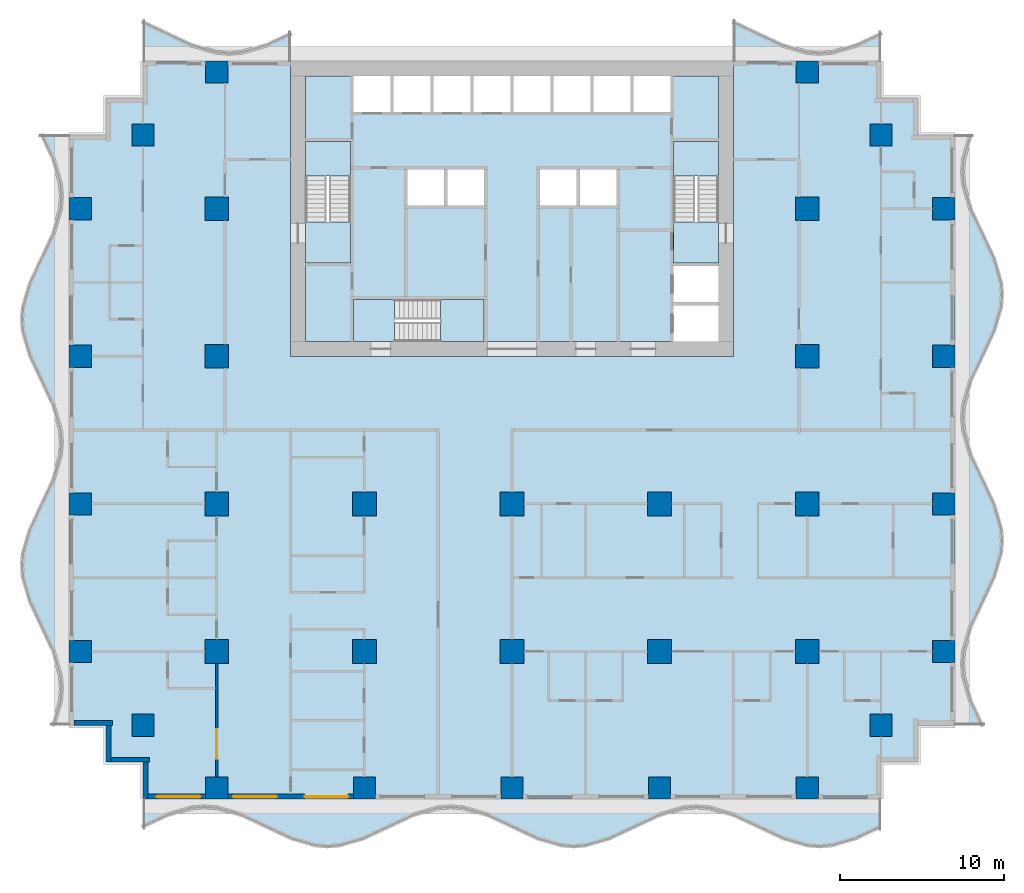
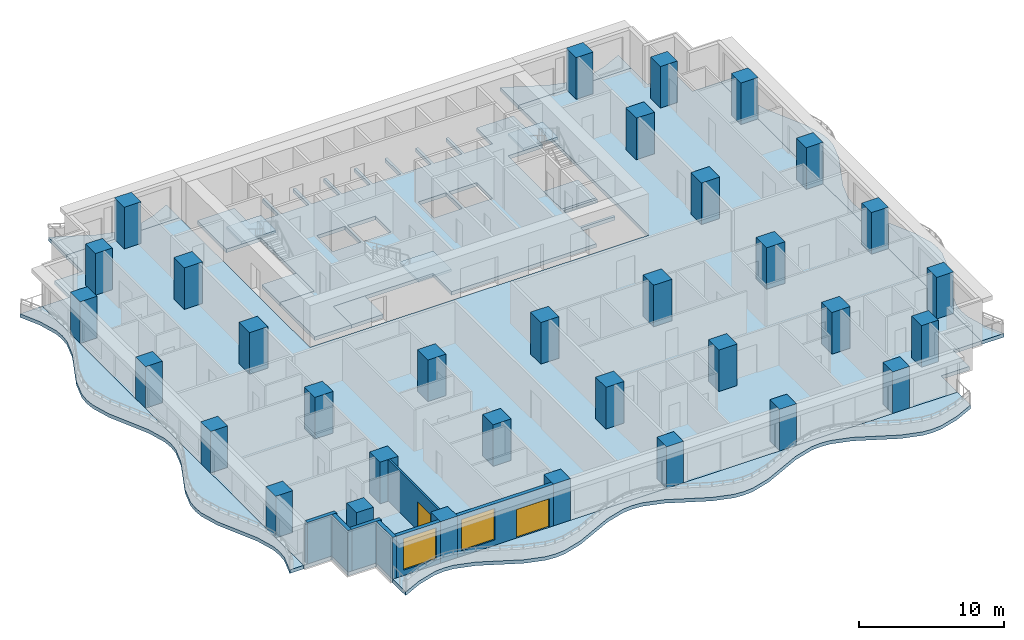
# One storey, part 1 of 14: 33 columns, 13 slabs, 7 walls, 2 doors, 2 windows, 4 openings, 3 elements without a shape of their own.
"""IFC4 building model written with IfcOpenShell, lengths in metres."""

from ifc_helpers import new_model, si_unit, direction, frame, frame_2d, origin, origin_2d, place, context, subcontext, project, spatial, polyline, rectangle, outline, extrude, material, layer, layer_set, material_profile, profile_set, type_object, element, fill, aggregate, save


model = new_model("IFC4")

# Units and contexts
model_context = context("Model", 3, precision=1e-05, world=origin(), true_north=direction((0.0, 1.0)))
body_context = subcontext(model_context, "Body", "Model", "MODEL_VIEW")
ifc_project = project(units=[si_unit("LENGTHUNIT", "METRE"), si_unit("AREAUNIT", "SQUARE_METRE"), si_unit("VOLUMEUNIT", "CUBIC_METRE"), si_unit("PLANEANGLEUNIT", "RADIAN"), si_unit("MASSUNIT", "GRAM", prefix="KILO")], contexts=[model_context])

# Site, building, storey
site_placement = place(None, origin())
site = spatial("IfcSite", under=ifc_project, at=site_placement, CompositionType="ELEMENT")
building_placement = place(site_placement, origin())
building = spatial("IfcBuilding", under=site, at=building_placement, Name="Orbiselva Terraces", CompositionType="ELEMENT")
storey_placement = place(building_placement, frame((0.0, 0.0, 60.6)))
storey = spatial("IfcBuildingStorey", under=building, at=storey_placement, Name="L15", CompositionType="ELEMENT", Elevation=60.6)

# Columns
ifc_material_1 = material(Name="Concrete C70/85", Category="concrete")
ifc_material_profile_1 = material_profile(ifc_material_1, rectangle(XDim=1.45, YDim=1.45, at=origin_2d()), Name="RC 1450x1450")
ifc_profile_set_1 = profile_set([ifc_material_profile_1], Name="Concrete C70/85")
column_type_1 = type_object("IfcColumnType", Name="COLUMN RC 1450x1450", PredefinedType="COLUMN", material=ifc_profile_set_1)
for number, where, z_axis, x_axis, name in (
    (1, (-18.0, -13.5, 0.0), (0.0, 0.0, 1.0), (1.0, 0.0, 0.0), "Column L15-01"),
    (2, (-18.0, -4.5, 0.0), (0.0, 0.0, 1.0), (1.0, 0.0, 0.0), "Column L15-03"),
    (3, (-18.0, 13.5, 0.0), (0.0, 0.0, 1.0), (1.0, 0.0, 0.0), "Column L15-04"),
    (4, (-18.0, 4.5, 0.0), (0.0, 0.0, 1.0), (1.0, 0.0, 0.0), "Column L15-06"),
    (5, (-9.0, -13.5, 0.0), (0.0, 0.0, 1.0), (1.0, 0.0, 0.0), "Column L15-13"),
    (6, (-9.0, -4.5, 0.0), (0.0, 0.0, 1.0), (1.0, 0.0, 0.0), "Column L15-15"),
    (7, (0.0, -13.5, 0.0), (0.0, 0.0, 1.0), (1.0, 0.0, 0.0), "Column L15-16"),
    (8, (0.0, -4.5, 0.0), (0.0, 0.0, 1.0), (1.0, 0.0, 0.0), "Column L15-18"),
    (9, (18.0, -13.5, 0.0), (0.0, 0.0, 1.0), (1.0, 0.0, 0.0), "Column L15-19"),
    (10, (18.0, -4.5, 0.0), (0.0, 0.0, 1.0), (1.0, 0.0, 0.0), "Column L15-21"),
    (11, (18.0, 13.5, 0.0), (0.0, 0.0, 1.0), (1.0, 0.0, 0.0), "Column L15-22"),
    (12, (18.0, 4.5, 0.0), (0.0, 0.0, 1.0), (1.0, 0.0, 0.0), "Column L15-24"),
    (13, (9.0, -13.5, 0.0), (0.0, 0.0, 1.0), (1.0, 0.0, 0.0), "Column L15-31"),
    (14, (9.0, -4.5, 0.0), (0.0, 0.0, 1.0), (1.0, 0.0, 0.0), "Column L15-33"),
):
    element("IfcColumn", number, at=place(storey_placement, frame(where, z_axis=z_axis, x_axis=x_axis)), inside=storey, type_object=column_type_1, Name=name, PredefinedType="COLUMN", context=body_context, shape_type="SweptSolid", body=[
        extrude(rectangle(XDim=1.45, YDim=1.45, at=origin_2d()), origin(), (0.0, 0.0, 1.0), 3.5),
    ])
ifc_material_profile_2 = material_profile(ifc_material_1, rectangle(XDim=1.35, YDim=1.35, at=origin_2d()), Name="RC 1350x1350")
ifc_profile_set_2 = profile_set([ifc_material_profile_2], Name="Concrete C70/85")
column_type_2 = type_object("IfcColumnType", Name="PERIMETER COLUMN RC 1350x1350", PredefinedType="COLUMN", material=ifc_profile_set_2)
for number, where, z_axis, x_axis, name in (
    (15, (-18.0, -21.825, 0.0), (0.0, 0.0, 1.0), (1.0, 0.0, 0.0), "Column L15-02"),
    (16, (-18.0, 21.825, 0.0), (0.0, 0.0, 1.0), (1.0, 0.0, 0.0), "Column L15-05"),
    (17, (-26.325, -13.5, 0.0), (0.0, 0.0, 1.0), (1.0, 0.0, 0.0), "Column L15-07"),
    (18, (-22.5, -18.0, 0.0), (0.0, 0.0, 1.0), (1.0, 0.0, 0.0), "Column L15-08"),
    (19, (-26.325, -4.5, 0.0), (0.0, 0.0, 1.0), (1.0, 0.0, 0.0), "Column L15-09"),
    (20, (-26.325, 13.5, 0.0), (0.0, 0.0, 1.0), (1.0, 0.0, 0.0), "Column L15-10"),
    (21, (-22.5, 18.0, 0.0), (0.0, 0.0, 1.0), (1.0, 0.0, 0.0), "Column L15-11"),
    (22, (-26.325, 4.5, 0.0), (0.0, 0.0, 1.0), (1.0, 0.0, 0.0), "Column L15-12"),
    (23, (-9.0, -21.825, 0.0), (0.0, 0.0, 1.0), (1.0, 0.0, 0.0), "Column L15-14"),
    (24, (0.0, -21.825, 0.0), (0.0, 0.0, 1.0), (1.0, 0.0, 0.0), "Column L15-17"),
    (25, (18.0, -21.825, 0.0), (0.0, 0.0, 1.0), (1.0, 0.0, 0.0), "Column L15-20"),
    (26, (18.0, 21.825, 0.0), (0.0, 0.0, 1.0), (1.0, 0.0, 0.0), "Column L15-23"),
    (27, (26.325, -13.5, 0.0), (0.0, 0.0, 1.0), (1.0, 0.0, 0.0), "Column L15-25"),
    (28, (22.5, -18.0, 0.0), (0.0, 0.0, 1.0), (1.0, 0.0, 0.0), "Column L15-26"),
    (29, (26.325, -4.5, 0.0), (0.0, 0.0, 1.0), (1.0, 0.0, 0.0), "Column L15-27"),
    (30, (26.325, 13.5, 0.0), (0.0, 0.0, 1.0), (1.0, 0.0, 0.0), "Column L15-28"),
    (31, (22.5, 18.0, 0.0), (0.0, 0.0, 1.0), (1.0, 0.0, 0.0), "Column L15-29"),
    (32, (26.325, 4.5, 0.0), (0.0, 0.0, 1.0), (1.0, 0.0, 0.0), "Column L15-30"),
    (33, (9.0, -21.825, 0.0), (0.0, 0.0, 1.0), (1.0, 0.0, 0.0), "Column L15-32"),
):
    element("IfcColumn", number, at=place(storey_placement, frame(where, z_axis=z_axis, x_axis=x_axis)), inside=storey, type_object=column_type_2, Name=name, PredefinedType="COLUMN", context=body_context, shape_type="SweptSolid", body=[
        extrude(rectangle(XDim=1.35, YDim=1.35, at=origin_2d()), origin(), (0.0, 0.0, 1.0), 3.5),
    ])

# Slabs
ifc_material_2 = material(Name="Concrete C40/50", Category="concrete")
ifc_layer_1 = layer(ifc_material_2, 0.3)
ifc_layer_set_1 = layer_set([ifc_layer_1], Name="Concrete C40/50")
slab_type_1 = type_object("IfcSlabType", Name="CORE-SLAB-FLOOR-300", PredefinedType="FLOOR", material=ifc_layer_set_1)
slab_1_placement = place(storey_placement, frame((0.0, 0.0, -0.3)))
element("IfcSlab", 34, at=slab_1_placement, inside=storey, type_object=slab_type_1, Name="L15 S1 floor landing", PredefinedType="FLOOR", context=body_context, shape_type="SweptSolid", body=[
    extrude(outline(polyline([(-12.6, 12.7), (-9.85, 12.7), (-9.85, 10.2), (-12.6, 10.2), (-12.6, 12.7)])), origin(), (0.0, 0.0, 1.0), 0.3),
])
slab_2_placement = place(storey_placement, frame((0.0, 0.0, -0.3)))
element("IfcSlab", 35, at=slab_2_placement, inside=storey, type_object=slab_type_1, Name="L15 S2 floor landing", PredefinedType="FLOOR", context=body_context, shape_type="SweptSolid", body=[
    extrude(outline(polyline([(12.6, 12.7), (12.6, 10.2), (9.85, 10.2), (9.85, 12.7), (12.6, 12.7)])), origin(), (0.0, 0.0, 1.0), 0.3),
])
slab_3_placement = place(storey_placement, frame((0.0, 0.0, -0.3)))
element("IfcSlab", 36, at=slab_3_placement, inside=storey, type_object=slab_type_1, Name="L15 S3 floor landing", PredefinedType="FLOOR", context=body_context, shape_type="SweptSolid", body=[
    extrude(outline(polyline([(-7.15, 5.4), (-9.65, 5.4), (-9.65, 7.95), (-7.15, 7.95), (-7.15, 5.4)])), origin(), (0.0, 0.0, 1.0), 0.3),
])
slab_4_placement = place(storey_placement, frame((0.0, 0.0, -0.3)))
element("IfcSlab", 37, at=slab_4_placement, inside=storey, type_object=slab_type_1, Name="L15 core floor slab 1", PredefinedType="FLOOR", context=body_context, shape_type="SweptSolid", body=[
    extrude(outline(polyline([(-1.7, 5.4), (-1.7, 7.95), (-9.65, 7.95), (-9.65, 5.4), (-12.6, 5.4), (-12.6, 10.2), (-9.85, 10.2), (-9.85, 17.6), (-12.6, 17.6), (-12.6, 21.6), (-9.65, 21.6), (-9.65, 19.4), (-7.4125, 19.4), (-7.4125, 21.6), (-7.2125, 21.6), (-7.2125, 19.4), (-4.975, 19.4), (-4.975, 21.6), (-4.775, 21.6), (-4.775, 19.4), (-2.5375, 19.4), (-2.5375, 21.6), (-2.3375, 21.6), (-2.3375, 19.4), (-0.1, 19.4), (-0.1, 21.6), (0.1, 21.6), (0.1, 19.4), (2.3375, 19.4), (2.3375, 21.6), (2.5375, 21.6), (2.5375, 19.4), (4.775, 19.4), (4.775, 21.6), (4.975, 21.6), (4.975, 19.4), (7.2125, 19.4), (7.2125, 21.6), (7.4125, 21.6), (7.4125, 19.4), (9.65, 19.4), (9.65, 21.6), (12.6, 21.6), (12.6, 17.6), (9.85, 17.6), (9.85, 10.2), (12.6, 10.2), (12.6, 10.0), (9.85, 10.0), (9.85, 7.8), (12.6, 7.8), (12.6, 7.6), (9.85, 7.6), (9.85, 5.4), (-1.7, 5.4)]), holes=[polyline([(-4.1375, 13.7), (-4.1375, 15.9), (-6.375, 15.9), (-6.375, 13.7), (-4.1375, 13.7)]), polyline([(-1.7, 13.7), (-1.7, 15.9), (-3.9375, 15.9), (-3.9375, 13.7), (-1.7, 13.7)]), polyline([(3.9375, 13.7), (3.9375, 15.9), (1.7, 15.9), (1.7, 13.7), (3.9375, 13.7)]), polyline([(6.375, 13.7), (6.375, 15.9), (4.1375, 15.9), (4.1375, 13.7), (6.375, 13.7)])]), origin(), (0.0, 0.0, 1.0), 0.3),
])

# Stair, slab
stair_type_1 = type_object("IfcStairType", Name="CORE-STAIR-1300", PredefinedType="HALF_TURN_STAIR", material=ifc_material_2)
stair_1_placement = place(storey_placement, origin())
stair_1 = element("IfcStair", 38, at=stair_1_placement, inside=storey, type_object=stair_type_1, Name="L15 Exit Stair S1", PredefinedType="HALF_TURN_STAIR")
ifc_layer_2 = layer(ifc_material_2, 0.2)
ifc_layer_set_2 = layer_set([ifc_layer_2], Name="Concrete C40/50")
slab_type_2 = type_object("IfcSlabType", Name="CORE-STAIR-LANDING-200", PredefinedType="LANDING", material=ifc_layer_set_2)
slab_5_placement = place(storey_placement, frame((0.0, 0.0, 1.7)))
slab_5 = element("IfcSlab", 39, at=slab_5_placement, type_object=slab_type_2, Name="S1 landing 1", PredefinedType="LANDING", context=body_context, shape_type="SweptSolid", body=[
    extrude(outline(polyline([(-9.85, 15.5), (-9.85, 17.6), (-12.6, 17.6), (-12.6, 15.5), (-9.85, 15.5)])), origin(), (0.0, 0.0, 1.0), 0.2),
])
aggregate(stair_1, [slab_5])

stair_2_placement = place(storey_placement, origin())
stair_2 = element("IfcStair", 40, at=stair_2_placement, inside=storey, type_object=stair_type_1, Name="L15 Exit Stair S2", PredefinedType="HALF_TURN_STAIR")
slab_6_placement = place(storey_placement, frame((0.0, 0.0, 1.7)))
slab_6 = element("IfcSlab", 41, at=slab_6_placement, type_object=slab_type_2, Name="S2 landing 1", PredefinedType="LANDING", context=body_context, shape_type="SweptSolid", body=[
    extrude(outline(polyline([(12.6, 15.5), (12.6, 17.6), (9.85, 17.6), (9.85, 15.5), (12.6, 15.5)])), origin(), (0.0, 0.0, 1.0), 0.2),
])
aggregate(stair_2, [slab_6])

stair_type_2 = type_object("IfcStairType", Name="CORE-STAIR-1200", PredefinedType="HALF_TURN_STAIR", material=ifc_material_2)
stair_3_placement = place(storey_placement, origin())
stair_3 = element("IfcStair", 42, at=stair_3_placement, inside=storey, type_object=stair_type_2, Name="L15 Exit Stair S3", PredefinedType="HALF_TURN_STAIR")
slab_7_placement = place(storey_placement, frame((0.0, 0.0, 1.7)))
slab_7 = element("IfcSlab", 43, at=slab_7_placement, type_object=slab_type_2, Name="S3 landing 1", PredefinedType="LANDING", context=body_context, shape_type="SweptSolid", body=[
    extrude(outline(polyline([(-4.35, 5.4), (-1.7, 5.4), (-1.7, 7.95), (-4.35, 7.95), (-4.35, 5.4)])), origin(), (0.0, 0.0, 1.0), 0.2),
])
aggregate(stair_3, [slab_7])

# Slabs
ifc_material_3 = material(Name="Concrete C50/60", Category="concrete")
ifc_layer_3 = layer(ifc_material_3, 0.3)
ifc_layer_set_3 = layer_set([ifc_layer_3], Name="Concrete C50/60")
slab_type_3 = type_object("IfcSlabType", Name="ENV-BALCONY-SLAB-300", PredefinedType="FLOOR", material=ifc_layer_set_3)
slab_8_placement = place(storey_placement, frame((0.0, 0.0, -0.3)))
element("IfcSlab", 44, at=slab_8_placement, inside=storey, type_object=slab_type_3, Name="Balcony slab L15 S", PredefinedType="FLOOR", context=body_context, shape_type="SweptSolid", body=[
    extrude(outline(polyline([(-22.5, -24.3), (-21.0, -23.594658), (-19.5, -23.158732), (-18.75, -23.1), (-18.0, -23.158732), (-16.5, -23.594658), (-13.5, -25.005342), (-12.0, -25.441268), (-11.25, -25.5), (-10.5, -25.441268), (-9.0, -25.005342), (-6.0, -23.594658), (-4.5, -23.158732), (-3.75, -23.1), (-3.0, -23.158732), (-1.5, -23.594658), (1.5, -25.005342), (3.0, -25.441268), (3.75, -25.5), (4.5, -25.441268), (6.0, -25.005342), (9.0, -23.594658), (10.5, -23.158732), (11.25, -23.1), (12.0, -23.158732), (13.5, -23.594658), (16.5, -25.005342), (18.0, -25.441268), (18.75, -25.5), (19.5, -25.441268), (21.0, -25.005342), (22.5, -24.3), (22.5, -22.5), (-22.5, -22.5), (-22.5, -24.3)])), origin(), (0.0, 0.0, 1.0), 0.3),
])
slab_9_placement = place(storey_placement, frame((0.0, 0.0, -0.3)))
element("IfcSlab", 45, at=slab_9_placement, inside=storey, type_object=slab_type_3, Name="Balcony slab L15 E", PredefinedType="FLOOR", context=body_context, shape_type="SweptSolid", body=[
    extrude(outline(polyline([(28.8, -18.0), (28.094658, -16.5), (27.658732, -15.0), (27.6, -14.25), (27.658732, -13.5), (28.094658, -12.0), (29.505342, -9.0), (29.941268, -7.5), (30.0, -6.75), (29.941268, -6.0), (29.505342, -4.5), (28.094658, -1.5), (27.658732, 0.0), (27.6, 0.75), (27.658732, 1.5), (28.094658, 3.0), (29.505342, 6.0), (29.941268, 7.5), (30.0, 8.25), (29.941268, 9.0), (29.505342, 10.5), (28.094658, 13.5), (27.658732, 15.0), (27.6, 15.75), (27.658732, 16.5), (28.094658, 18.0), (27.0, 18.0), (27.0, -18.0), (28.8, -18.0)])), origin(), (0.0, 0.0, 1.0), 0.3),
])
slab_10_placement = place(storey_placement, frame((0.0, 0.0, -0.3)))
element("IfcSlab", 46, at=slab_10_placement, inside=storey, type_object=slab_type_3, Name="Balcony slab L15 NE", PredefinedType="FLOOR", context=body_context, shape_type="SweptSolid", body=[
    extrude(outline(polyline([(22.5, 24.3), (21.0, 23.594658), (19.5, 23.158732), (18.75, 23.1), (18.0, 23.158732), (16.5, 23.594658), (13.5, 25.005342), (13.5, 22.5), (22.5, 22.5), (22.5, 24.3)])), origin(), (0.0, 0.0, 1.0), 0.3),
])
slab_11_placement = place(storey_placement, frame((0.0, 0.0, -0.3)))
element("IfcSlab", 47, at=slab_11_placement, inside=storey, type_object=slab_type_3, Name="Balcony slab L15 NW", PredefinedType="FLOOR", context=body_context, shape_type="SweptSolid", body=[
    extrude(outline(polyline([(-13.5, 24.3), (-15.0, 23.594658), (-16.5, 23.158732), (-17.25, 23.1), (-18.0, 23.158732), (-19.5, 23.594658), (-22.5, 25.005342), (-22.5, 22.5), (-13.5, 22.5), (-13.5, 24.3)])), origin(), (0.0, 0.0, 1.0), 0.3),
])
slab_12_placement = place(storey_placement, frame((0.0, 0.0, -0.3)))
element("IfcSlab", 48, at=slab_12_placement, inside=storey, type_object=slab_type_3, Name="Balcony slab L15 W", PredefinedType="FLOOR", context=body_context, shape_type="SweptSolid", body=[
    extrude(outline(polyline([(-28.8, 18.0), (-28.094658, 16.5), (-27.658732, 15.0), (-27.6, 14.25), (-27.658732, 13.5), (-28.094658, 12.0), (-29.505342, 9.0), (-29.941268, 7.5), (-30.0, 6.75), (-29.941268, 6.0), (-29.505342, 4.5), (-28.094658, 1.5), (-27.658732, 0.0), (-27.6, -0.75), (-27.658732, -1.5), (-28.094658, -3.0), (-29.505342, -6.0), (-29.941268, -7.5), (-30.0, -8.25), (-29.941268, -9.0), (-29.505342, -10.5), (-28.094658, -13.5), (-27.658732, -15.0), (-27.6, -15.75), (-27.658732, -16.5), (-28.094658, -18.0), (-27.0, -18.0), (-27.0, 18.0), (-28.8, 18.0)])), origin(), (0.0, 0.0, 1.0), 0.3),
])
ifc_layer_4 = layer(ifc_material_3, 0.3)
ifc_layer_set_4 = layer_set([ifc_layer_4], Name="Concrete C50/60")
slab_type_4 = type_object("IfcSlabType", Name="FLOOR SLAB 300", PredefinedType="FLOOR", material=ifc_layer_set_4)
slab_13_placement = place(storey_placement, frame((0.0, 0.0, -0.3)))
element("IfcSlab", 49, at=slab_13_placement, inside=storey, type_object=slab_type_4, Name="Floor slab L15", PredefinedType="FLOOR", context=body_context, shape_type="SweptSolid", body=[
    extrude(outline(polyline([(22.5, 22.5), (22.5, 20.25), (24.75, 20.25), (24.75, 18.0), (27.0, 18.0), (27.0, -18.0), (24.75, -18.0), (24.75, -20.25), (22.5, -20.25), (22.5, -22.5), (-22.5, -22.5), (-22.5, -20.25), (-24.75, -20.25), (-24.75, -18.0), (-27.0, -18.0), (-27.0, 18.0), (-24.75, 18.0), (-24.75, 20.25), (-22.5, 20.25), (-22.5, 22.5), (-13.5, 22.5), (-13.5, 4.5), (13.5, 4.5), (13.5, 22.5), (22.5, 22.5)])), origin(), (0.0, 0.0, 1.0), 0.3),
])

# Wall, opening, window
ifc_material_4 = material(Name="Terracotta cladding on masonry backing", Category="masonry")
ifc_layer_5 = layer(ifc_material_4, 0.3)
ifc_layer_set_5 = layer_set([ifc_layer_5], Name="Terracotta cladding on masonry backing")
wall_type_1 = type_object("IfcWallType", Name="ENV-WALL-TERRACOTTA-300", PredefinedType="SOLIDWALL", material=ifc_layer_set_5)
wall_1_placement = place(storey_placement, frame((-18.675, -22.35, 0.0), z_axis=(0.0, 0.0, 1.0), x_axis=(-1.0, 0.0, 0.0)))
wall_1 = element("IfcWall", 50, at=wall_1_placement, inside=storey, type_object=wall_type_1, Name="Facade wall L15 S", PredefinedType="SOLIDWALL", context=body_context, shape_type="SweptSolid", body=[
    extrude(rectangle(XDim=3.525, YDim=0.3, at=frame_2d((1.7625, 0.0))), origin(), (0.0, 0.0, 1.0), 3.5),
])
opening_1_placement = place(wall_1_placement, frame((0.325, 0.0, 0.45)))
opening_1 = element("IfcOpeningElement", 51, at=opening_1_placement, cuts=wall_1, Name="Opening WN3", PredefinedType="OPENING", context=body_context, shape_type="SweptSolid", body=[
    extrude(rectangle(XDim=2.65, YDim=2.65, at=frame_2d((1.325, 1.325))), frame((0.0, 0.16, 0.0), z_axis=(0.0, -1.0, 0.0), x_axis=(1.0, 0.0, 0.0)), (0.0, 0.0, 1.0), 0.32),
])
ifc_material_5 = material(Name="Clear low-e glazing in aluminium frame", Category="aluminium")
window_type = type_object("IfcWindowType", Name="WINDOW 2650 X 2650 S450", PartitioningType="TRIPLE_PANEL_VERTICAL", PredefinedType="WINDOW", material=ifc_material_5)
window_1_placement = place(opening_1_placement, origin())
window_1 = element("IfcWindow", 52, at=window_1_placement, inside=storey, type_object=window_type, Name="Window L15 S", OverallHeight=2.65, OverallWidth=2.65, PartitioningType="SINGLE_PANEL", PredefinedType="WINDOW", context=body_context, shape_type="SweptSolid", body=[
    extrude(rectangle(XDim=2.65, YDim=2.65, at=frame_2d((1.325, 1.325))), frame((0.0, 0.03, 0.0), z_axis=(0.0, -1.0, 0.0), x_axis=(1.0, 0.0, 0.0)), (0.0, 0.0, 1.0), 0.06),
])
fill(opening_1, window_1)

# Wall, openings, door, window
wall_2_placement = place(storey_placement, frame((-9.675, -22.35, 0.0), z_axis=(0.0, 0.0, 1.0), x_axis=(-1.0, 0.0, 0.0)))
wall_2 = element("IfcWall", 53, at=wall_2_placement, inside=storey, type_object=wall_type_1, Name="Facade wall L15 S", PredefinedType="SOLIDWALL", context=body_context, shape_type="SweptSolid", body=[
    extrude(rectangle(XDim=7.65, YDim=0.3, at=frame_2d((3.825, 0.0))), origin(), (0.0, 0.0, 1.0), 3.5),
])
opening_2_placement = place(wall_2_placement, frame((4.675, 0.0, 0.45)))
opening_2 = element("IfcOpeningElement", 54, at=opening_2_placement, cuts=wall_2, Name="Opening WN3", PredefinedType="OPENING", context=body_context, shape_type="SweptSolid", body=[
    extrude(rectangle(XDim=2.65, YDim=2.65, at=frame_2d((1.325, 1.325))), frame((0.0, 0.16, 0.0), z_axis=(0.0, -1.0, 0.0), x_axis=(1.0, 0.0, 0.0)), (0.0, 0.0, 1.0), 0.32),
])
opening_3_placement = place(wall_2_placement, frame((0.325, 0.0, 0.0)))
opening_3 = element("IfcOpeningElement", 55, at=opening_3_placement, cuts=wall_2, Name="Opening Z1-E-E01", PredefinedType="OPENING", context=body_context, shape_type="SweptSolid", body=[
    extrude(rectangle(XDim=2.65, YDim=2.4, at=frame_2d((1.325, 1.2))), frame((0.0, 0.16, 0.0), z_axis=(0.0, -1.0, 0.0), x_axis=(1.0, 0.0, 0.0)), (0.0, 0.0, 1.0), 0.32),
])
door_type_1 = type_object("IfcDoorType", Name="BALCONY DOOR 2650 X 2400", OperationType="DOUBLE_DOOR_SLIDING", PredefinedType="DOOR", material=ifc_material_5)
door_1_placement = place(opening_3_placement, origin())
door_1 = element("IfcDoor", 56, at=door_1_placement, inside=storey, type_object=door_type_1, Name="Z1-E-E01", OperationType="SINGLE_SWING_LEFT", OverallHeight=2.4, OverallWidth=2.65, PredefinedType="DOOR", context=body_context, shape_type="SweptSolid", body=[
    extrude(rectangle(XDim=2.65, YDim=2.4, at=frame_2d((1.325, 1.2))), frame((0.0, 0.025, 0.0), z_axis=(0.0, -1.0, 0.0), x_axis=(1.0, 0.0, 0.0)), (0.0, 0.0, 1.0), 0.05),
])
fill(opening_3, door_1)
window_2_placement = place(opening_2_placement, origin())
window_2 = element("IfcWindow", 57, at=window_2_placement, inside=storey, type_object=window_type, Name="Window L15 S", OverallHeight=2.65, OverallWidth=2.65, PartitioningType="SINGLE_PANEL", PredefinedType="WINDOW", context=body_context, shape_type="SweptSolid", body=[
    extrude(rectangle(XDim=2.65, YDim=2.65, at=frame_2d((1.325, 1.325))), frame((0.0, 0.03, 0.0), z_axis=(0.0, -1.0, 0.0), x_axis=(1.0, 0.0, 0.0)), (0.0, 0.0, 1.0), 0.06),
])
fill(opening_2, window_2)

# Walls
wall_3_placement = place(storey_placement, frame((-24.35, -17.85, 0.0), z_axis=(0.0, 0.0, 1.0), x_axis=(-1.0, 0.0, 0.0)))
element("IfcWall", 58, at=wall_3_placement, inside=storey, type_object=wall_type_1, Name="Facade wall L15 STEP", PredefinedType="SOLIDWALL", context=body_context, shape_type="SweptSolid", body=[
    extrude(rectangle(XDim=2.35, YDim=0.3, at=frame_2d((1.175, 0.0))), origin(), (0.0, 0.0, 1.0), 3.5),
])
wall_4_placement = place(storey_placement, frame((-24.6, -20.25, 0.0), z_axis=(0.0, 0.0, 1.0), x_axis=(0.0, 1.0, 0.0)))
element("IfcWall", 59, at=wall_4_placement, inside=storey, type_object=wall_type_1, Name="Facade wall L15 STEP", PredefinedType="SOLIDWALL", context=body_context, shape_type="SweptSolid", body=[
    extrude(rectangle(XDim=2.25, YDim=0.3, at=frame_2d((1.125, 0.0))), origin(), (0.0, 0.0, 1.0), 3.5),
])
wall_5_placement = place(storey_placement, frame((-22.1, -20.1, 0.0), z_axis=(0.0, 0.0, 1.0), x_axis=(-1.0, 0.0, 0.0)))
element("IfcWall", 60, at=wall_5_placement, inside=storey, type_object=wall_type_1, Name="Facade wall L15 STEP", PredefinedType="SOLIDWALL", context=body_context, shape_type="SweptSolid", body=[
    extrude(rectangle(XDim=2.35, YDim=0.3, at=frame_2d((1.175, 0.0))), origin(), (0.0, 0.0, 1.0), 3.5),
])
wall_6_placement = place(storey_placement, frame((-22.35, -22.5, 0.0), z_axis=(0.0, 0.0, 1.0), x_axis=(0.0, 1.0, 0.0)))
element("IfcWall", 61, at=wall_6_placement, inside=storey, type_object=wall_type_1, Name="Facade wall L15 STEP", PredefinedType="SOLIDWALL", context=body_context, shape_type="SweptSolid", body=[
    extrude(rectangle(XDim=2.25, YDim=0.3, at=frame_2d((1.125, 0.0))), origin(), (0.0, 0.0, 1.0), 3.5),
])

# Wall, opening, door
ifc_material_6 = material(Name="Plasterboard on steel stud partition", Category="steel")
ifc_layer_6 = layer(ifc_material_6, 0.15)
ifc_layer_set_6 = layer_set([ifc_layer_6], Name="Plasterboard on steel stud partition")
wall_type_2 = type_object("IfcWallType", Name="UNIT-PARTITION-150", PredefinedType="PARTITIONING", material=ifc_layer_set_6)
wall_7_placement = place(storey_placement, frame((-18.0, -21.15, 0.0), z_axis=(0.0, 0.0, 1.0), x_axis=(0.0, 1.0, 0.0)))
wall_7 = element("IfcWall", 62, at=wall_7_placement, inside=storey, type_object=wall_type_2, Name="PARTITION L15-050", PredefinedType="PARTITIONING", context=body_context, shape_type="SweptSolid", body=[
    extrude(rectangle(XDim=6.925, YDim=0.15, at=frame_2d((3.4625, 0.0))), origin(), (0.0, 0.0, 1.0), 3.5),
])
opening_4_placement = place(wall_7_placement, frame((1.1, 0.0, 0.0)))
opening_4 = element("IfcOpeningElement", 63, at=opening_4_placement, cuts=wall_7, Name="Opening Z1-E-29", PredefinedType="OPENING", context=body_context, shape_type="SweptSolid", body=[
    extrude(rectangle(XDim=1.8, YDim=2.4, at=frame_2d((0.9, 1.2))), frame((0.0, 0.085, 0.0), z_axis=(0.0, -1.0, 0.0), x_axis=(1.0, 0.0, 0.0)), (0.0, 0.0, 1.0), 0.17),
])
ifc_material_7 = material(Name="Painted timber door leaf", Category="wood")
door_type_2 = type_object("IfcDoorType", Name="DOUBLE DOOR 1800", OperationType="NOTDEFINED", PredefinedType="DOOR", material=ifc_material_7)
door_2_placement = place(opening_4_placement, origin())
door_2 = element("IfcDoor", 64, at=door_2_placement, inside=storey, type_object=door_type_2, Name="Z1-E-29", OperationType="DOUBLE_DOOR_SINGLE_SWING", OverallHeight=2.4, OverallWidth=1.8, PredefinedType="DOOR", context=body_context, shape_type="SweptSolid", body=[
    extrude(rectangle(XDim=1.8, YDim=2.4, at=frame_2d((0.9, 1.2))), frame((0.0, 0.025, 0.0), z_axis=(0.0, -1.0, 0.0), x_axis=(1.0, 0.0, 0.0)), (0.0, 0.0, 1.0), 0.05),
])
fill(opening_4, door_2)

save(model, "model.ifc")
